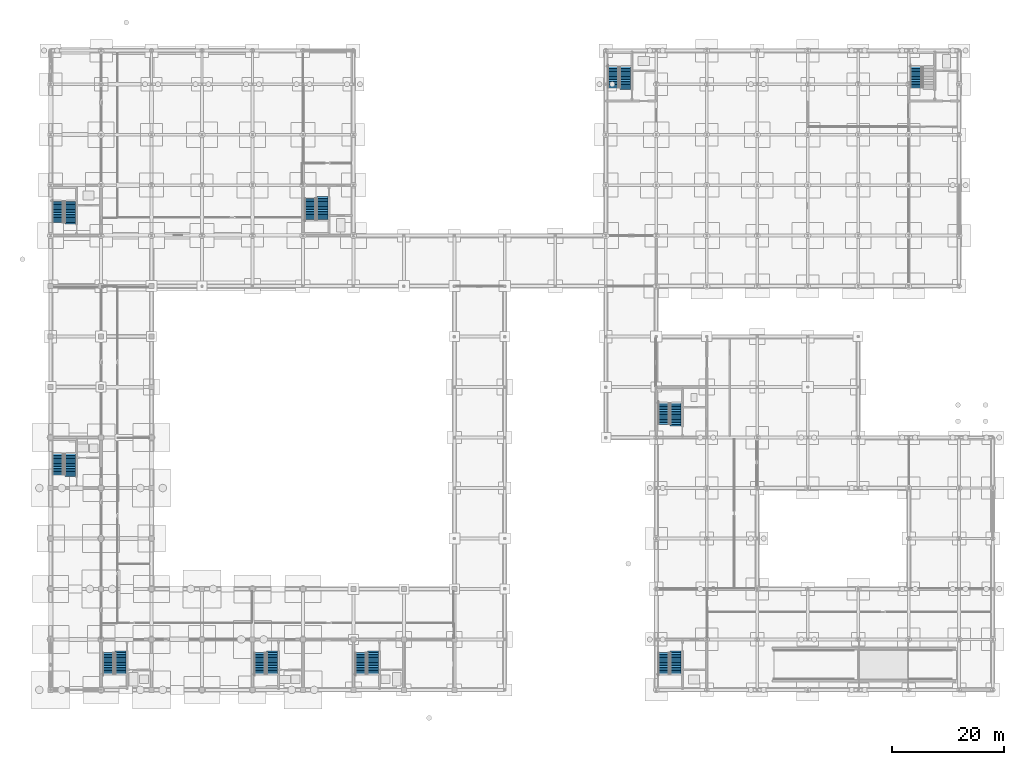
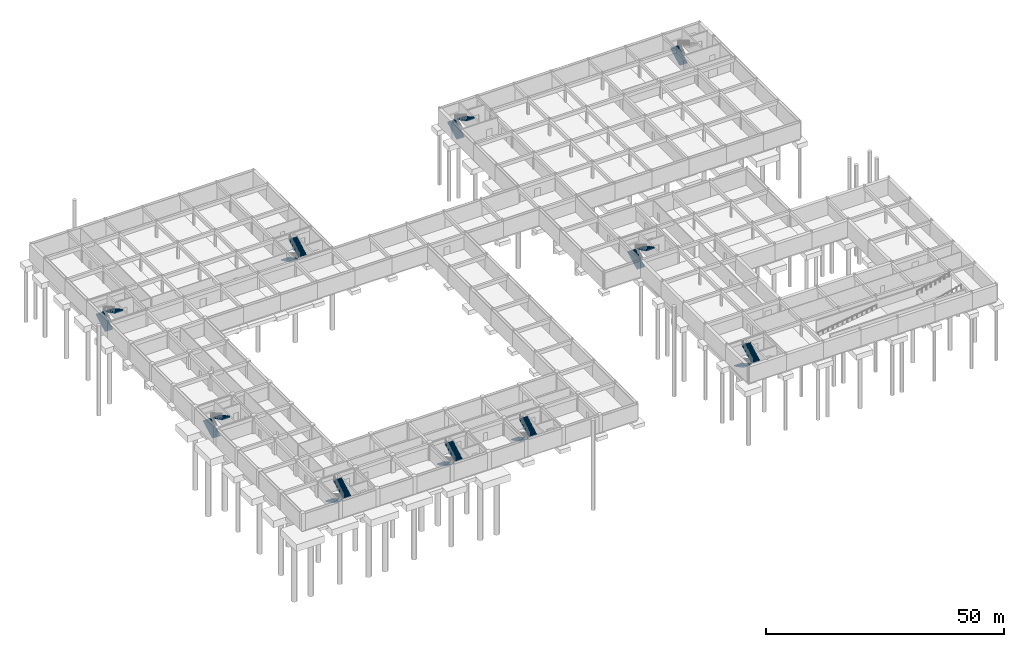
# One storey, part 32 of 41: 19 stair flights, 10 elements without a shape of their own.
"""IFC4 building model written with IfcOpenShell, lengths in metres."""

from ifc_helpers import new_model, si_unit, direction, frame, origin, place, context, subcontext, project, spatial, polyline, outline, extrude, material, type_object, element, aggregate, save


model = new_model("IFC4")

# Units and contexts
model_context = context("Model", 3, precision=1e-05, world=origin(), true_north=direction((0.0, 1.0)))
body_context = subcontext(model_context, "Body", "Model", "MODEL_VIEW")
ifc_project = project(units=[si_unit("LENGTHUNIT", "METRE"), si_unit("AREAUNIT", "SQUARE_METRE"), si_unit("VOLUMEUNIT", "CUBIC_METRE"), si_unit("PLANEANGLEUNIT", "RADIAN"), si_unit("MASSUNIT", "GRAM", prefix="KILO")], contexts=[model_context])

# Site, building, storey
site_placement = place(None, origin())
site = spatial("IfcSite", under=ifc_project, at=site_placement, CompositionType="ELEMENT")
building_placement = place(site_placement, origin())
building = spatial("IfcBuilding", under=site, at=building_placement, Name="Palais des Congres Ocreval", CompositionType="ELEMENT")
storey_placement = place(building_placement, frame((0.0, 0.0, -8.9599609375)))
storey = spatial("IfcBuildingStorey", under=building, at=storey_placement, Name="B2", CompositionType="ELEMENT", Elevation=-8.9599609375)

# Stair, stair flights
ifc_material = material(Name="Concrete C40/50", Category="concrete")
stair_type_1 = type_object("IfcStairType", Name="Commission Core Stair 1950 Concrete C40/50", PredefinedType="HALF_TURN_STAIR", material=ifc_material)
stair_1_placement = place(storey_placement, origin())
stair_1 = element("IfcStair", 1, at=stair_1_placement, inside=storey, type_object=stair_type_1, Name="Protected Core Stair ST09 B2", PredefinedType="HALF_TURN_STAIR")
stair_flight_type_1 = type_object("IfcStairFlightType", Name="Commission Stair Flight W1950 Concrete C40/50", PredefinedType="STRAIGHT", material=ifc_material)
stair_flight_1_placement = place(storey_placement, frame((109.344970703125, 6.64990234375, 0.0), z_axis=(0.0, 0.0, 1.0), x_axis=(0.0, -1.0, 0.0)))
stair_flight_1 = element("IfcStairFlight", 2, at=stair_flight_1_placement, type_object=stair_flight_type_1, Name="Stair ST09 B2 Flight 1", NumberOfRisers=14, NumberOfTreads=13, PredefinedType="STRAIGHT", RiserHeight=0.16, TreadLength=0.29, context=body_context, shape_type="SweptSolid", body=[
    extrude(outline(polyline([(-0.006103515625, 0.0), (-0.006103515625, 0.080078125), (0.0, 0.159912109375), (0.2900390625, 0.159912109375), (0.2900390625, 0.320068359375), (0.580078125, 0.320068359375), (0.580078125, 0.47998046875), (0.8701171875, 0.47998046875), (0.8701171875, 0.639892578125), (1.159912109375, 0.639892578125), (1.159912109375, 0.800048828125), (1.449951171875, 0.800048828125), (1.449951171875, 0.9599609375), (1.739990234375, 0.9599609375), (1.739990234375, 1.1201171875), (2.030029296875, 1.1201171875), (2.030029296875, 1.280029296875), (2.320068359375, 1.280029296875), (2.320068359375, 1.43994140625), (2.610107421875, 1.43994140625), (2.610107421875, 1.60009765625), (2.89990234375, 1.60009765625), (2.89990234375, 1.760009765625), (3.18994140625, 1.760009765625), (3.18994140625, 1.919921875), (3.47998046875, 1.919921875), (3.47998046875, 2.080078125), (3.77001953125, 2.080078125), (3.77001953125, 2.239990234375), (3.929931640625, 2.239990234375), (3.929931640625, 1.8974609375), (0.3310546875, 0.0), (-0.006103515625, 0.0)])), frame((0.0, 0.97509765625, 0.0), z_axis=(0.0, -1.0, 0.0), x_axis=(1.0, 0.0, 0.0)), (0.0, 0.0, 1.0), 1.949951171875),
])
stair_flight_2_placement = place(storey_placement, frame((111.455078125, 2.8798828125, 2.239990234375), z_axis=(0.0, 0.0, 1.0), x_axis=(0.0, 1.0, 0.0)))
stair_flight_2 = element("IfcStairFlight", 3, at=stair_flight_2_placement, type_object=stair_flight_type_1, Name="Stair ST09 B2 Flight 2", NumberOfRisers=14, NumberOfTreads=13, PredefinedType="STRAIGHT", RiserHeight=0.16, TreadLength=0.29, context=body_context, shape_type="SweptSolid", body=[
    extrude(outline(polyline([(-0.006103515625, 0.0), (-0.006103515625, 0.080078125), (0.0, 0.159912109375), (0.2900390625, 0.159912109375), (0.2900390625, 0.320068359375), (0.580078125, 0.320068359375), (0.580078125, 0.47998046875), (0.8701171875, 0.47998046875), (0.8701171875, 0.639892578125), (1.159912109375, 0.639892578125), (1.159912109375, 0.800048828125), (1.449951171875, 0.800048828125), (1.449951171875, 0.9599609375), (1.739990234375, 0.9599609375), (1.739990234375, 1.1201171875), (2.030029296875, 1.1201171875), (2.030029296875, 1.280029296875), (2.320068359375, 1.280029296875), (2.320068359375, 1.43994140625), (2.610107421875, 1.43994140625), (2.610107421875, 1.60009765625), (2.89990234375, 1.60009765625), (2.89990234375, 1.760009765625), (3.18994140625, 1.760009765625), (3.18994140625, 1.919921875), (3.47998046875, 1.919921875), (3.47998046875, 2.080078125), (3.77001953125, 2.080078125), (3.77001953125, 2.239990234375), (4.06005859375, 2.239990234375), (4.06005859375, 1.8974609375), (0.3310546875, 0.0), (-0.006103515625, 0.0)])), frame((0.0, 0.97509765625, 0.0), z_axis=(0.0, -1.0, 0.0), x_axis=(1.0, 0.0, 0.0)), (0.0, 0.0, 1.0), 1.949951171875),
])
aggregate(stair_1, [stair_flight_1, stair_flight_2])

stair_type_2 = type_object("IfcStairType", Name="Protected Core Stair B2-B1 1900 Concrete C40/50", PredefinedType="HALF_TURN_STAIR", material=ifc_material)
stair_2_placement = place(storey_placement, origin())
stair_2 = element("IfcStair", 4, at=stair_2_placement, inside=storey, type_object=stair_type_2, Name="Protected Core Stair ST01 B2", PredefinedType="HALF_TURN_STAIR")
stair_flight_type_2 = type_object("IfcStairFlightType", Name="Core Stair Flight 14R x 160/290 W1900 Concrete C40/50", PredefinedType="STRAIGHT", material=ifc_material)
stair_flight_3_placement = place(storey_placement, frame((10.320068359375, 6.64990234375, 0.0), z_axis=(0.0, 0.0, 1.0), x_axis=(0.0, -1.0, 0.0)))
stair_flight_3 = element("IfcStairFlight", 5, at=stair_flight_3_placement, type_object=stair_flight_type_2, Name="Stair ST01 B2 Flight 1", NumberOfRisers=14, NumberOfTreads=13, PredefinedType="STRAIGHT", RiserHeight=0.16, TreadLength=0.29, context=body_context, shape_type="SweptSolid", body=[
    extrude(outline(polyline([(-0.006103515625, 0.0), (-0.006103515625, 0.080078125), (0.0, 0.159912109375), (0.2900390625, 0.159912109375), (0.2900390625, 0.320068359375), (0.580078125, 0.320068359375), (0.580078125, 0.47998046875), (0.8701171875, 0.47998046875), (0.8701171875, 0.639892578125), (1.159912109375, 0.639892578125), (1.159912109375, 0.800048828125), (1.449951171875, 0.800048828125), (1.449951171875, 0.9599609375), (1.739990234375, 0.9599609375), (1.739990234375, 1.1201171875), (2.030029296875, 1.1201171875), (2.030029296875, 1.280029296875), (2.320068359375, 1.280029296875), (2.320068359375, 1.43994140625), (2.610107421875, 1.43994140625), (2.610107421875, 1.60009765625), (2.89990234375, 1.60009765625), (2.89990234375, 1.760009765625), (3.18994140625, 1.760009765625), (3.18994140625, 1.919921875), (3.47998046875, 1.919921875), (3.47998046875, 2.080078125), (3.77001953125, 2.080078125), (3.77001953125, 2.239990234375), (3.929931640625, 2.239990234375), (3.929931640625, 1.8974609375), (0.3310546875, 0.0), (-0.006103515625, 0.0)])), frame((0.0, 0.949951171875, 0.0), z_axis=(0.0, -1.0, 0.0), x_axis=(1.0, 0.0, 0.0)), (0.0, 0.0, 1.0), 1.89990234375),
])
stair_flight_4_placement = place(storey_placement, frame((12.47998046875, 2.8798828125, 2.239990234375), z_axis=(0.0, 0.0, 1.0), x_axis=(0.0, 1.0, 0.0)))
stair_flight_4 = element("IfcStairFlight", 6, at=stair_flight_4_placement, type_object=stair_flight_type_2, Name="Stair ST01 B2 Flight 2", NumberOfRisers=14, NumberOfTreads=13, PredefinedType="STRAIGHT", RiserHeight=0.16, TreadLength=0.29, context=body_context, shape_type="SweptSolid", body=[
    extrude(outline(polyline([(-0.006103515625, 0.0), (-0.006103515625, 0.080078125), (0.0, 0.159912109375), (0.2900390625, 0.159912109375), (0.2900390625, 0.320068359375), (0.580078125, 0.320068359375), (0.580078125, 0.47998046875), (0.8701171875, 0.47998046875), (0.8701171875, 0.639892578125), (1.159912109375, 0.639892578125), (1.159912109375, 0.800048828125), (1.449951171875, 0.800048828125), (1.449951171875, 0.9599609375), (1.739990234375, 0.9599609375), (1.739990234375, 1.1201171875), (2.030029296875, 1.1201171875), (2.030029296875, 1.280029296875), (2.320068359375, 1.280029296875), (2.320068359375, 1.43994140625), (2.610107421875, 1.43994140625), (2.610107421875, 1.60009765625), (2.89990234375, 1.60009765625), (2.89990234375, 1.760009765625), (3.18994140625, 1.760009765625), (3.18994140625, 1.919921875), (3.47998046875, 1.919921875), (3.47998046875, 2.080078125), (3.77001953125, 2.080078125), (3.77001953125, 2.239990234375), (4.06005859375, 2.239990234375), (4.06005859375, 1.8974609375), (0.3310546875, 0.0), (-0.006103515625, 0.0)])), frame((0.0, 0.949951171875, 0.0), z_axis=(0.0, -1.0, 0.0), x_axis=(1.0, 0.0, 0.0)), (0.0, 0.0, 1.0), 1.89990234375),
])
aggregate(stair_2, [stair_flight_3, stair_flight_4])

stair_3_placement = place(storey_placement, origin())
stair_3 = element("IfcStair", 7, at=stair_3_placement, inside=storey, type_object=stair_type_2, Name="Protected Core Stair ST02 B2", PredefinedType="HALF_TURN_STAIR")
stair_flight_5_placement = place(storey_placement, frame((37.320068359375, 6.64990234375, 0.0), z_axis=(0.0, 0.0, 1.0), x_axis=(0.0, -1.0, 0.0)))
stair_flight_5 = element("IfcStairFlight", 8, at=stair_flight_5_placement, type_object=stair_flight_type_2, Name="Stair ST02 B2 Flight 1", NumberOfRisers=14, NumberOfTreads=13, PredefinedType="STRAIGHT", RiserHeight=0.16, TreadLength=0.29, context=body_context, shape_type="SweptSolid", body=[
    extrude(outline(polyline([(-0.006103515625, 0.0), (-0.006103515625, 0.080078125), (0.0, 0.159912109375), (0.2900390625, 0.159912109375), (0.2900390625, 0.320068359375), (0.580078125, 0.320068359375), (0.580078125, 0.47998046875), (0.8701171875, 0.47998046875), (0.8701171875, 0.639892578125), (1.159912109375, 0.639892578125), (1.159912109375, 0.800048828125), (1.449951171875, 0.800048828125), (1.449951171875, 0.9599609375), (1.739990234375, 0.9599609375), (1.739990234375, 1.1201171875), (2.030029296875, 1.1201171875), (2.030029296875, 1.280029296875), (2.320068359375, 1.280029296875), (2.320068359375, 1.43994140625), (2.610107421875, 1.43994140625), (2.610107421875, 1.60009765625), (2.89990234375, 1.60009765625), (2.89990234375, 1.760009765625), (3.18994140625, 1.760009765625), (3.18994140625, 1.919921875), (3.47998046875, 1.919921875), (3.47998046875, 2.080078125), (3.77001953125, 2.080078125), (3.77001953125, 2.239990234375), (3.929931640625, 2.239990234375), (3.929931640625, 1.8974609375), (0.3310546875, 0.0), (-0.006103515625, 0.0)])), frame((0.0, 0.949951171875, 0.0), z_axis=(0.0, -1.0, 0.0), x_axis=(1.0, 0.0, 0.0)), (0.0, 0.0, 1.0), 1.89990234375),
])
stair_flight_6_placement = place(storey_placement, frame((39.47998046875, 2.8798828125, 2.239990234375), z_axis=(0.0, 0.0, 1.0), x_axis=(0.0, 1.0, 0.0)))
stair_flight_6 = element("IfcStairFlight", 9, at=stair_flight_6_placement, type_object=stair_flight_type_2, Name="Stair ST02 B2 Flight 2", NumberOfRisers=14, NumberOfTreads=13, PredefinedType="STRAIGHT", RiserHeight=0.16, TreadLength=0.29, context=body_context, shape_type="SweptSolid", body=[
    extrude(outline(polyline([(-0.006103515625, 0.0), (-0.006103515625, 0.080078125), (0.0, 0.159912109375), (0.2900390625, 0.159912109375), (0.2900390625, 0.320068359375), (0.580078125, 0.320068359375), (0.580078125, 0.47998046875), (0.8701171875, 0.47998046875), (0.8701171875, 0.639892578125), (1.159912109375, 0.639892578125), (1.159912109375, 0.800048828125), (1.449951171875, 0.800048828125), (1.449951171875, 0.9599609375), (1.739990234375, 0.9599609375), (1.739990234375, 1.1201171875), (2.030029296875, 1.1201171875), (2.030029296875, 1.280029296875), (2.320068359375, 1.280029296875), (2.320068359375, 1.43994140625), (2.610107421875, 1.43994140625), (2.610107421875, 1.60009765625), (2.89990234375, 1.60009765625), (2.89990234375, 1.760009765625), (3.18994140625, 1.760009765625), (3.18994140625, 1.919921875), (3.47998046875, 1.919921875), (3.47998046875, 2.080078125), (3.77001953125, 2.080078125), (3.77001953125, 2.239990234375), (4.06005859375, 2.239990234375), (4.06005859375, 1.8974609375), (0.3310546875, 0.0), (-0.006103515625, 0.0)])), frame((0.0, 0.949951171875, 0.0), z_axis=(0.0, -1.0, 0.0), x_axis=(1.0, 0.0, 0.0)), (0.0, 0.0, 1.0), 1.89990234375),
])
aggregate(stair_3, [stair_flight_5, stair_flight_6])

stair_4_placement = place(storey_placement, origin())
stair_4 = element("IfcStair", 10, at=stair_4_placement, inside=storey, type_object=stair_type_2, Name="Protected Core Stair ST03 B2", PredefinedType="HALF_TURN_STAIR")
stair_flight_7_placement = place(storey_placement, frame((1.320068359375, 38.35009765625, 0.0), z_axis=(0.0, 0.0, 1.0), x_axis=(0.0, 1.0, 0.0)))
stair_flight_7 = element("IfcStairFlight", 11, at=stair_flight_7_placement, type_object=stair_flight_type_2, Name="Stair ST03 B2 Flight 1", NumberOfRisers=14, NumberOfTreads=13, PredefinedType="STRAIGHT", RiserHeight=0.16, TreadLength=0.29, context=body_context, shape_type="SweptSolid", body=[
    extrude(outline(polyline([(-0.006103515625, 0.0), (-0.006103515625, 0.080078125), (0.0, 0.159912109375), (0.2900390625, 0.159912109375), (0.2900390625, 0.320068359375), (0.580078125, 0.320068359375), (0.580078125, 0.47998046875), (0.8701171875, 0.47998046875), (0.8701171875, 0.639892578125), (1.159912109375, 0.639892578125), (1.159912109375, 0.800048828125), (1.449951171875, 0.800048828125), (1.449951171875, 0.9599609375), (1.739990234375, 0.9599609375), (1.739990234375, 1.1201171875), (2.030029296875, 1.1201171875), (2.030029296875, 1.280029296875), (2.320068359375, 1.280029296875), (2.320068359375, 1.43994140625), (2.610107421875, 1.43994140625), (2.610107421875, 1.60009765625), (2.89990234375, 1.60009765625), (2.89990234375, 1.760009765625), (3.18994140625, 1.760009765625), (3.18994140625, 1.919921875), (3.47998046875, 1.919921875), (3.47998046875, 2.080078125), (3.77001953125, 2.080078125), (3.77001953125, 2.239990234375), (3.929931640625, 2.239990234375), (3.929931640625, 1.8974609375), (0.3310546875, 0.0), (-0.006103515625, 0.0)])), frame((0.0, 0.949951171875, 0.0), z_axis=(0.0, -1.0, 0.0), x_axis=(1.0, 0.0, 0.0)), (0.0, 0.0, 1.0), 1.89990234375),
])
stair_flight_8_placement = place(storey_placement, frame((3.47998046875, 42.1201171875, 2.239990234375), z_axis=(0.0, 0.0, 1.0), x_axis=(0.0, -1.0, 0.0)))
stair_flight_8 = element("IfcStairFlight", 12, at=stair_flight_8_placement, type_object=stair_flight_type_2, Name="Stair ST03 B2 Flight 2", NumberOfRisers=14, NumberOfTreads=13, PredefinedType="STRAIGHT", RiserHeight=0.16, TreadLength=0.29, context=body_context, shape_type="SweptSolid", body=[
    extrude(outline(polyline([(-0.006103515625, 0.0), (-0.006103515625, 0.080078125), (0.0, 0.159912109375), (0.2900390625, 0.159912109375), (0.2900390625, 0.320068359375), (0.580078125, 0.320068359375), (0.580078125, 0.47998046875), (0.8701171875, 0.47998046875), (0.8701171875, 0.639892578125), (1.159912109375, 0.639892578125), (1.159912109375, 0.800048828125), (1.449951171875, 0.800048828125), (1.449951171875, 0.9599609375), (1.739990234375, 0.9599609375), (1.739990234375, 1.1201171875), (2.030029296875, 1.1201171875), (2.030029296875, 1.280029296875), (2.320068359375, 1.280029296875), (2.320068359375, 1.43994140625), (2.610107421875, 1.43994140625), (2.610107421875, 1.60009765625), (2.89990234375, 1.60009765625), (2.89990234375, 1.760009765625), (3.18994140625, 1.760009765625), (3.18994140625, 1.919921875), (3.47998046875, 1.919921875), (3.47998046875, 2.080078125), (3.77001953125, 2.080078125), (3.77001953125, 2.239990234375), (4.06005859375, 2.239990234375), (4.06005859375, 1.8974609375), (0.3310546875, 0.0), (-0.006103515625, 0.0)])), frame((0.0, 0.949951171875, 0.0), z_axis=(0.0, -1.0, 0.0), x_axis=(1.0, 0.0, 0.0)), (0.0, 0.0, 1.0), 1.89990234375),
])
aggregate(stair_4, [stair_flight_7, stair_flight_8])

stair_5_placement = place(storey_placement, origin())
stair_5 = element("IfcStair", 13, at=stair_5_placement, inside=storey, type_object=stair_type_2, Name="Protected Core Stair ST04 B2", PredefinedType="HALF_TURN_STAIR")
stair_flight_9_placement = place(storey_placement, frame((55.320068359375, 6.64990234375, 0.0), z_axis=(0.0, 0.0, 1.0), x_axis=(0.0, -1.0, 0.0)))
stair_flight_9 = element("IfcStairFlight", 14, at=stair_flight_9_placement, type_object=stair_flight_type_2, Name="Stair ST04 B2 Flight 1", NumberOfRisers=14, NumberOfTreads=13, PredefinedType="STRAIGHT", RiserHeight=0.16, TreadLength=0.29, context=body_context, shape_type="SweptSolid", body=[
    extrude(outline(polyline([(-0.006103515625, 0.0), (-0.006103515625, 0.080078125), (0.0, 0.159912109375), (0.2900390625, 0.159912109375), (0.2900390625, 0.320068359375), (0.580078125, 0.320068359375), (0.580078125, 0.47998046875), (0.8701171875, 0.47998046875), (0.8701171875, 0.639892578125), (1.159912109375, 0.639892578125), (1.159912109375, 0.800048828125), (1.449951171875, 0.800048828125), (1.449951171875, 0.9599609375), (1.739990234375, 0.9599609375), (1.739990234375, 1.1201171875), (2.030029296875, 1.1201171875), (2.030029296875, 1.280029296875), (2.320068359375, 1.280029296875), (2.320068359375, 1.43994140625), (2.610107421875, 1.43994140625), (2.610107421875, 1.60009765625), (2.89990234375, 1.60009765625), (2.89990234375, 1.760009765625), (3.18994140625, 1.760009765625), (3.18994140625, 1.919921875), (3.47998046875, 1.919921875), (3.47998046875, 2.080078125), (3.77001953125, 2.080078125), (3.77001953125, 2.239990234375), (3.929931640625, 2.239990234375), (3.929931640625, 1.8974609375), (0.3310546875, 0.0), (-0.006103515625, 0.0)])), frame((0.0, 0.949951171875, 0.0), z_axis=(0.0, -1.0, 0.0), x_axis=(1.0, 0.0, 0.0)), (0.0, 0.0, 1.0), 1.89990234375),
])
stair_flight_10_placement = place(storey_placement, frame((57.47998046875, 2.8798828125, 2.239990234375), z_axis=(0.0, 0.0, 1.0), x_axis=(0.0, 1.0, 0.0)))
stair_flight_10 = element("IfcStairFlight", 15, at=stair_flight_10_placement, type_object=stair_flight_type_2, Name="Stair ST04 B2 Flight 2", NumberOfRisers=14, NumberOfTreads=13, PredefinedType="STRAIGHT", RiserHeight=0.16, TreadLength=0.29, context=body_context, shape_type="SweptSolid", body=[
    extrude(outline(polyline([(-0.006103515625, 0.0), (-0.006103515625, 0.080078125), (0.0, 0.159912109375), (0.2900390625, 0.159912109375), (0.2900390625, 0.320068359375), (0.580078125, 0.320068359375), (0.580078125, 0.47998046875), (0.8701171875, 0.47998046875), (0.8701171875, 0.639892578125), (1.159912109375, 0.639892578125), (1.159912109375, 0.800048828125), (1.449951171875, 0.800048828125), (1.449951171875, 0.9599609375), (1.739990234375, 0.9599609375), (1.739990234375, 1.1201171875), (2.030029296875, 1.1201171875), (2.030029296875, 1.280029296875), (2.320068359375, 1.280029296875), (2.320068359375, 1.43994140625), (2.610107421875, 1.43994140625), (2.610107421875, 1.60009765625), (2.89990234375, 1.60009765625), (2.89990234375, 1.760009765625), (3.18994140625, 1.760009765625), (3.18994140625, 1.919921875), (3.47998046875, 1.919921875), (3.47998046875, 2.080078125), (3.77001953125, 2.080078125), (3.77001953125, 2.239990234375), (4.06005859375, 2.239990234375), (4.06005859375, 1.8974609375), (0.3310546875, 0.0), (-0.006103515625, 0.0)])), frame((0.0, 0.949951171875, 0.0), z_axis=(0.0, -1.0, 0.0), x_axis=(1.0, 0.0, 0.0)), (0.0, 0.0, 1.0), 1.89990234375),
])
aggregate(stair_5, [stair_flight_9, stair_flight_10])

stair_6_placement = place(storey_placement, origin())
stair_6 = element("IfcStair", 16, at=stair_6_placement, inside=storey, type_object=stair_type_2, Name="Protected Core Stair ST05 B2", PredefinedType="HALF_TURN_STAIR")
stair_flight_11_placement = place(storey_placement, frame((1.320068359375, 83.35009765625, 0.0), z_axis=(0.0, 0.0, 1.0), x_axis=(0.0, 1.0, 0.0)))
stair_flight_11 = element("IfcStairFlight", 17, at=stair_flight_11_placement, type_object=stair_flight_type_2, Name="Stair ST05 B2 Flight 1", NumberOfRisers=14, NumberOfTreads=13, PredefinedType="STRAIGHT", RiserHeight=0.16, TreadLength=0.29, context=body_context, shape_type="SweptSolid", body=[
    extrude(outline(polyline([(-0.006103515625, 0.0), (-0.006103515625, 0.080078125), (0.0, 0.159912109375), (0.2900390625, 0.159912109375), (0.2900390625, 0.320068359375), (0.580078125, 0.320068359375), (0.580078125, 0.47998046875), (0.8701171875, 0.47998046875), (0.8701171875, 0.639892578125), (1.159912109375, 0.639892578125), (1.159912109375, 0.800048828125), (1.449951171875, 0.800048828125), (1.449951171875, 0.9599609375), (1.739990234375, 0.9599609375), (1.739990234375, 1.1201171875), (2.030029296875, 1.1201171875), (2.030029296875, 1.280029296875), (2.320068359375, 1.280029296875), (2.320068359375, 1.43994140625), (2.610107421875, 1.43994140625), (2.610107421875, 1.60009765625), (2.89990234375, 1.60009765625), (2.89990234375, 1.760009765625), (3.18994140625, 1.760009765625), (3.18994140625, 1.919921875), (3.47998046875, 1.919921875), (3.47998046875, 2.080078125), (3.77001953125, 2.080078125), (3.77001953125, 2.239990234375), (3.929931640625, 2.239990234375), (3.929931640625, 1.8974609375), (0.3310546875, 0.0), (-0.006103515625, 0.0)])), frame((0.0, 0.949951171875, 0.0), z_axis=(0.0, -1.0, 0.0), x_axis=(1.0, 0.0, 0.0)), (0.0, 0.0, 1.0), 1.89990234375),
])
stair_flight_12_placement = place(storey_placement, frame((3.47998046875, 87.1201171875, 2.239990234375), z_axis=(0.0, 0.0, 1.0), x_axis=(0.0, -1.0, 0.0)))
stair_flight_12 = element("IfcStairFlight", 18, at=stair_flight_12_placement, type_object=stair_flight_type_2, Name="Stair ST05 B2 Flight 2", NumberOfRisers=14, NumberOfTreads=13, PredefinedType="STRAIGHT", RiserHeight=0.16, TreadLength=0.29, context=body_context, shape_type="SweptSolid", body=[
    extrude(outline(polyline([(-0.006103515625, 0.0), (-0.006103515625, 0.080078125), (0.0, 0.159912109375), (0.2900390625, 0.159912109375), (0.2900390625, 0.320068359375), (0.580078125, 0.320068359375), (0.580078125, 0.47998046875), (0.8701171875, 0.47998046875), (0.8701171875, 0.639892578125), (1.159912109375, 0.639892578125), (1.159912109375, 0.800048828125), (1.449951171875, 0.800048828125), (1.449951171875, 0.9599609375), (1.739990234375, 0.9599609375), (1.739990234375, 1.1201171875), (2.030029296875, 1.1201171875), (2.030029296875, 1.280029296875), (2.320068359375, 1.280029296875), (2.320068359375, 1.43994140625), (2.610107421875, 1.43994140625), (2.610107421875, 1.60009765625), (2.89990234375, 1.60009765625), (2.89990234375, 1.760009765625), (3.18994140625, 1.760009765625), (3.18994140625, 1.919921875), (3.47998046875, 1.919921875), (3.47998046875, 2.080078125), (3.77001953125, 2.080078125), (3.77001953125, 2.239990234375), (4.06005859375, 2.239990234375), (4.06005859375, 1.8974609375), (0.3310546875, 0.0), (-0.006103515625, 0.0)])), frame((0.0, 0.949951171875, 0.0), z_axis=(0.0, -1.0, 0.0), x_axis=(1.0, 0.0, 0.0)), (0.0, 0.0, 1.0), 1.89990234375),
])
aggregate(stair_6, [stair_flight_11, stair_flight_12])

stair_7_placement = place(storey_placement, origin())
stair_7 = element("IfcStair", 19, at=stair_7_placement, inside=storey, type_object=stair_type_2, Name="Protected Core Stair ST06 B2", PredefinedType="HALF_TURN_STAIR")
stair_flight_13_placement = place(storey_placement, frame((46.320068359375, 87.64990234375, 0.0), z_axis=(0.0, 0.0, 1.0), x_axis=(0.0, -1.0, 0.0)))
stair_flight_13 = element("IfcStairFlight", 20, at=stair_flight_13_placement, type_object=stair_flight_type_2, Name="Stair ST06 B2 Flight 1", NumberOfRisers=14, NumberOfTreads=13, PredefinedType="STRAIGHT", RiserHeight=0.16, TreadLength=0.29, context=body_context, shape_type="SweptSolid", body=[
    extrude(outline(polyline([(-0.006103515625, 0.0), (-0.006103515625, 0.080078125), (0.0, 0.159912109375), (0.2900390625, 0.159912109375), (0.2900390625, 0.320068359375), (0.580078125, 0.320068359375), (0.580078125, 0.47998046875), (0.8701171875, 0.47998046875), (0.8701171875, 0.639892578125), (1.159912109375, 0.639892578125), (1.159912109375, 0.800048828125), (1.449951171875, 0.800048828125), (1.449951171875, 0.9599609375), (1.739990234375, 0.9599609375), (1.739990234375, 1.1201171875), (2.030029296875, 1.1201171875), (2.030029296875, 1.280029296875), (2.320068359375, 1.280029296875), (2.320068359375, 1.43994140625), (2.610107421875, 1.43994140625), (2.610107421875, 1.60009765625), (2.89990234375, 1.60009765625), (2.89990234375, 1.760009765625), (3.18994140625, 1.760009765625), (3.18994140625, 1.919921875), (3.47998046875, 1.919921875), (3.47998046875, 2.080078125), (3.77001953125, 2.080078125), (3.77001953125, 2.239990234375), (3.929931640625, 2.239990234375), (3.929931640625, 1.8974609375), (0.3310546875, 0.0), (-0.006103515625, 0.0)])), frame((0.0, 0.949951171875, 0.0), z_axis=(0.0, -1.0, 0.0), x_axis=(1.0, 0.0, 0.0)), (0.0, 0.0, 1.0), 1.89990234375),
])
stair_flight_14_placement = place(storey_placement, frame((48.47998046875, 83.8798828125, 2.239990234375), z_axis=(0.0, 0.0, 1.0), x_axis=(0.0, 1.0, 0.0)))
stair_flight_14 = element("IfcStairFlight", 21, at=stair_flight_14_placement, type_object=stair_flight_type_2, Name="Stair ST06 B2 Flight 2", NumberOfRisers=14, NumberOfTreads=13, PredefinedType="STRAIGHT", RiserHeight=0.16, TreadLength=0.29, context=body_context, shape_type="SweptSolid", body=[
    extrude(outline(polyline([(-0.006103515625, 0.0), (-0.006103515625, 0.080078125), (0.0, 0.159912109375), (0.2900390625, 0.159912109375), (0.2900390625, 0.320068359375), (0.580078125, 0.320068359375), (0.580078125, 0.47998046875), (0.8701171875, 0.47998046875), (0.8701171875, 0.639892578125), (1.159912109375, 0.639892578125), (1.159912109375, 0.800048828125), (1.449951171875, 0.800048828125), (1.449951171875, 0.9599609375), (1.739990234375, 0.9599609375), (1.739990234375, 1.1201171875), (2.030029296875, 1.1201171875), (2.030029296875, 1.280029296875), (2.320068359375, 1.280029296875), (2.320068359375, 1.43994140625), (2.610107421875, 1.43994140625), (2.610107421875, 1.60009765625), (2.89990234375, 1.60009765625), (2.89990234375, 1.760009765625), (3.18994140625, 1.760009765625), (3.18994140625, 1.919921875), (3.47998046875, 1.919921875), (3.47998046875, 2.080078125), (3.77001953125, 2.080078125), (3.77001953125, 2.239990234375), (4.06005859375, 2.239990234375), (4.06005859375, 1.8974609375), (0.3310546875, 0.0), (-0.006103515625, 0.0)])), frame((0.0, 0.949951171875, 0.0), z_axis=(0.0, -1.0, 0.0), x_axis=(1.0, 0.0, 0.0)), (0.0, 0.0, 1.0), 1.89990234375),
])
aggregate(stair_7, [stair_flight_13, stair_flight_14])

stair_8_placement = place(storey_placement, origin())
stair_8 = element("IfcStair", 22, at=stair_8_placement, inside=storey, type_object=stair_type_2, Name="Protected Core Stair ST07 B2", PredefinedType="HALF_TURN_STAIR")
stair_flight_15_placement = place(storey_placement, frame((100.320068359375, 107.35009765625, 0.0), z_axis=(0.0, 0.0, 1.0), x_axis=(0.0, 1.0, 0.0)))
stair_flight_15 = element("IfcStairFlight", 23, at=stair_flight_15_placement, type_object=stair_flight_type_2, Name="Stair ST07 B2 Flight 1", NumberOfRisers=14, NumberOfTreads=13, PredefinedType="STRAIGHT", RiserHeight=0.16, TreadLength=0.29, context=body_context, shape_type="SweptSolid", body=[
    extrude(outline(polyline([(-0.006103515625, 0.0), (-0.006103515625, 0.080078125), (0.0, 0.159912109375), (0.2900390625, 0.159912109375), (0.2900390625, 0.320068359375), (0.580078125, 0.320068359375), (0.580078125, 0.47998046875), (0.8701171875, 0.47998046875), (0.8701171875, 0.639892578125), (1.159912109375, 0.639892578125), (1.159912109375, 0.800048828125), (1.449951171875, 0.800048828125), (1.449951171875, 0.9599609375), (1.739990234375, 0.9599609375), (1.739990234375, 1.1201171875), (2.030029296875, 1.1201171875), (2.030029296875, 1.280029296875), (2.320068359375, 1.280029296875), (2.320068359375, 1.43994140625), (2.610107421875, 1.43994140625), (2.610107421875, 1.60009765625), (2.89990234375, 1.60009765625), (2.89990234375, 1.760009765625), (3.18994140625, 1.760009765625), (3.18994140625, 1.919921875), (3.47998046875, 1.919921875), (3.47998046875, 2.080078125), (3.77001953125, 2.080078125), (3.77001953125, 2.239990234375), (3.929931640625, 2.239990234375), (3.929931640625, 1.8974609375), (0.3310546875, 0.0), (-0.006103515625, 0.0)])), frame((0.0, 0.949951171875, 0.0), z_axis=(0.0, -1.0, 0.0), x_axis=(1.0, 0.0, 0.0)), (0.0, 0.0, 1.0), 1.89990234375),
])
stair_flight_16_placement = place(storey_placement, frame((102.47998046875, 111.1201171875, 2.239990234375), z_axis=(0.0, 0.0, 1.0), x_axis=(0.0, -1.0, 0.0)))
stair_flight_16 = element("IfcStairFlight", 24, at=stair_flight_16_placement, type_object=stair_flight_type_2, Name="Stair ST07 B2 Flight 2", NumberOfRisers=14, NumberOfTreads=13, PredefinedType="STRAIGHT", RiserHeight=0.16, TreadLength=0.29, context=body_context, shape_type="SweptSolid", body=[
    extrude(outline(polyline([(-0.006103515625, 0.0), (-0.006103515625, 0.080078125), (0.0, 0.159912109375), (0.2900390625, 0.159912109375), (0.2900390625, 0.320068359375), (0.580078125, 0.320068359375), (0.580078125, 0.47998046875), (0.8701171875, 0.47998046875), (0.8701171875, 0.639892578125), (1.159912109375, 0.639892578125), (1.159912109375, 0.800048828125), (1.449951171875, 0.800048828125), (1.449951171875, 0.9599609375), (1.739990234375, 0.9599609375), (1.739990234375, 1.1201171875), (2.030029296875, 1.1201171875), (2.030029296875, 1.280029296875), (2.320068359375, 1.280029296875), (2.320068359375, 1.43994140625), (2.610107421875, 1.43994140625), (2.610107421875, 1.60009765625), (2.89990234375, 1.60009765625), (2.89990234375, 1.760009765625), (3.18994140625, 1.760009765625), (3.18994140625, 1.919921875), (3.47998046875, 1.919921875), (3.47998046875, 2.080078125), (3.77001953125, 2.080078125), (3.77001953125, 2.239990234375), (4.06005859375, 2.239990234375), (4.06005859375, 1.8974609375), (0.3310546875, 0.0), (-0.006103515625, 0.0)])), frame((0.0, 0.949951171875, 0.0), z_axis=(0.0, -1.0, 0.0), x_axis=(1.0, 0.0, 0.0)), (0.0, 0.0, 1.0), 1.89990234375),
])
aggregate(stair_8, [stair_flight_15, stair_flight_16])

stair_type_3 = type_object("IfcStairType", Name="Spa Pavilion Core Stair 1950 Concrete C40/50", PredefinedType="HALF_TURN_STAIR", material=ifc_material)
stair_9_placement = place(storey_placement, origin())
stair_9 = element("IfcStair", 25, at=stair_9_placement, inside=storey, type_object=stair_type_3, Name="Protected Core Stair ST10 B2", PredefinedType="HALF_TURN_STAIR")
stair_flight_type_3 = type_object("IfcStairFlightType", Name="Spa Pavilion Stair Flight W1950 Concrete C40/50", PredefinedType="STRAIGHT", material=ifc_material)
stair_flight_17_placement = place(storey_placement, frame((109.344970703125, 47.35009765625, 0.0), z_axis=(0.0, 0.0, 1.0), x_axis=(0.0, 1.0, 0.0)))
stair_flight_17 = element("IfcStairFlight", 26, at=stair_flight_17_placement, type_object=stair_flight_type_3, Name="Stair ST10 B2 Flight 1", NumberOfRisers=14, NumberOfTreads=13, PredefinedType="STRAIGHT", RiserHeight=0.16, TreadLength=0.29, context=body_context, shape_type="SweptSolid", body=[
    extrude(outline(polyline([(-0.006103515625, 0.0), (-0.006103515625, 0.080078125), (0.0, 0.159912109375), (0.2900390625, 0.159912109375), (0.2900390625, 0.320068359375), (0.580078125, 0.320068359375), (0.580078125, 0.47998046875), (0.8701171875, 0.47998046875), (0.8701171875, 0.639892578125), (1.159912109375, 0.639892578125), (1.159912109375, 0.800048828125), (1.449951171875, 0.800048828125), (1.449951171875, 0.9599609375), (1.739990234375, 0.9599609375), (1.739990234375, 1.1201171875), (2.030029296875, 1.1201171875), (2.030029296875, 1.280029296875), (2.320068359375, 1.280029296875), (2.320068359375, 1.43994140625), (2.610107421875, 1.43994140625), (2.610107421875, 1.60009765625), (2.89990234375, 1.60009765625), (2.89990234375, 1.760009765625), (3.18994140625, 1.760009765625), (3.18994140625, 1.919921875), (3.47998046875, 1.919921875), (3.47998046875, 2.080078125), (3.77001953125, 2.080078125), (3.77001953125, 2.239990234375), (3.929931640625, 2.239990234375), (3.929931640625, 1.8974609375), (0.3310546875, 0.0), (-0.006103515625, 0.0)])), frame((0.0, 0.97509765625, 0.0), z_axis=(0.0, -1.0, 0.0), x_axis=(1.0, 0.0, 0.0)), (0.0, 0.0, 1.0), 1.949951171875),
])
stair_flight_18_placement = place(storey_placement, frame((111.455078125, 51.1201171875, 2.239990234375), z_axis=(0.0, 0.0, 1.0), x_axis=(0.0, -1.0, 0.0)))
stair_flight_18 = element("IfcStairFlight", 27, at=stair_flight_18_placement, type_object=stair_flight_type_3, Name="Stair ST10 B2 Flight 2", NumberOfRisers=14, NumberOfTreads=13, PredefinedType="STRAIGHT", RiserHeight=0.16, TreadLength=0.29, context=body_context, shape_type="SweptSolid", body=[
    extrude(outline(polyline([(-0.006103515625, 0.0), (-0.006103515625, 0.080078125), (0.0, 0.159912109375), (0.2900390625, 0.159912109375), (0.2900390625, 0.320068359375), (0.580078125, 0.320068359375), (0.580078125, 0.47998046875), (0.8701171875, 0.47998046875), (0.8701171875, 0.639892578125), (1.159912109375, 0.639892578125), (1.159912109375, 0.800048828125), (1.449951171875, 0.800048828125), (1.449951171875, 0.9599609375), (1.739990234375, 0.9599609375), (1.739990234375, 1.1201171875), (2.030029296875, 1.1201171875), (2.030029296875, 1.280029296875), (2.320068359375, 1.280029296875), (2.320068359375, 1.43994140625), (2.610107421875, 1.43994140625), (2.610107421875, 1.60009765625), (2.89990234375, 1.60009765625), (2.89990234375, 1.760009765625), (3.18994140625, 1.760009765625), (3.18994140625, 1.919921875), (3.47998046875, 1.919921875), (3.47998046875, 2.080078125), (3.77001953125, 2.080078125), (3.77001953125, 2.239990234375), (4.06005859375, 2.239990234375), (4.06005859375, 1.8974609375), (0.3310546875, 0.0), (-0.006103515625, 0.0)])), frame((0.0, 0.97509765625, 0.0), z_axis=(0.0, -1.0, 0.0), x_axis=(1.0, 0.0, 0.0)), (0.0, 0.0, 1.0), 1.949951171875),
])
aggregate(stair_9, [stair_flight_17, stair_flight_18])

# Stair, stair flight
stair_type_4 = type_object("IfcStairType", Name="Wing Core Stair 1900 Concrete C40/50", PredefinedType="HALF_TURN_STAIR", material=ifc_material)
stair_10_placement = place(storey_placement, origin())
stair_10 = element("IfcStair", 28, at=stair_10_placement, inside=storey, type_object=stair_type_4, Name="Protected Core Stair ST08 B2", PredefinedType="HALF_TURN_STAIR")
stair_flight_type_4 = type_object("IfcStairFlightType", Name="Wing Stair Flight W1900 Concrete C40/50", PredefinedType="STRAIGHT", material=ifc_material)
stair_flight_19_placement = place(storey_placement, frame((154.320068359375, 107.35009765625, 0.0), z_axis=(0.0, 0.0, 1.0), x_axis=(0.0, 1.0, 0.0)))
stair_flight_19 = element("IfcStairFlight", 29, at=stair_flight_19_placement, type_object=stair_flight_type_4, Name="Stair ST08 B2 Flight 1", NumberOfRisers=14, NumberOfTreads=13, PredefinedType="STRAIGHT", RiserHeight=0.16, TreadLength=0.29, context=body_context, shape_type="SweptSolid", body=[
    extrude(outline(polyline([(-0.006103515625, 0.0), (-0.006103515625, 0.080078125), (0.0, 0.159912109375), (0.2900390625, 0.159912109375), (0.2900390625, 0.320068359375), (0.580078125, 0.320068359375), (0.580078125, 0.47998046875), (0.8701171875, 0.47998046875), (0.8701171875, 0.639892578125), (1.159912109375, 0.639892578125), (1.159912109375, 0.800048828125), (1.449951171875, 0.800048828125), (1.449951171875, 0.9599609375), (1.739990234375, 0.9599609375), (1.739990234375, 1.1201171875), (2.030029296875, 1.1201171875), (2.030029296875, 1.280029296875), (2.320068359375, 1.280029296875), (2.320068359375, 1.43994140625), (2.610107421875, 1.43994140625), (2.610107421875, 1.60009765625), (2.89990234375, 1.60009765625), (2.89990234375, 1.760009765625), (3.18994140625, 1.760009765625), (3.18994140625, 1.919921875), (3.47998046875, 1.919921875), (3.47998046875, 2.080078125), (3.77001953125, 2.080078125), (3.77001953125, 2.239990234375), (3.929931640625, 2.239990234375), (3.929931640625, 1.8974609375), (0.3310546875, 0.0), (-0.006103515625, 0.0)])), frame((0.0, 0.949951171875, 0.0), z_axis=(0.0, -1.0, 0.0), x_axis=(1.0, 0.0, 0.0)), (0.0, 0.0, 1.0), 1.89990234375),
])
aggregate(stair_10, [stair_flight_19])

save(model, "model.ifc")
